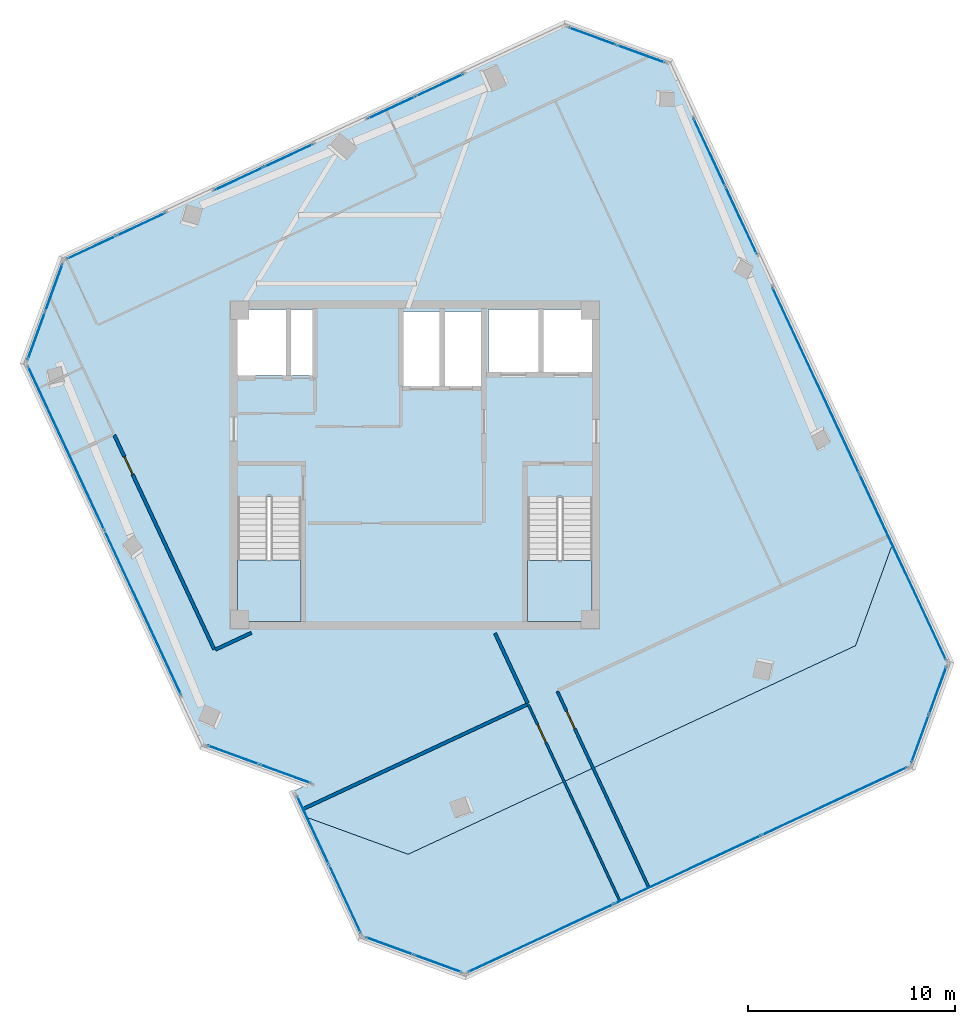
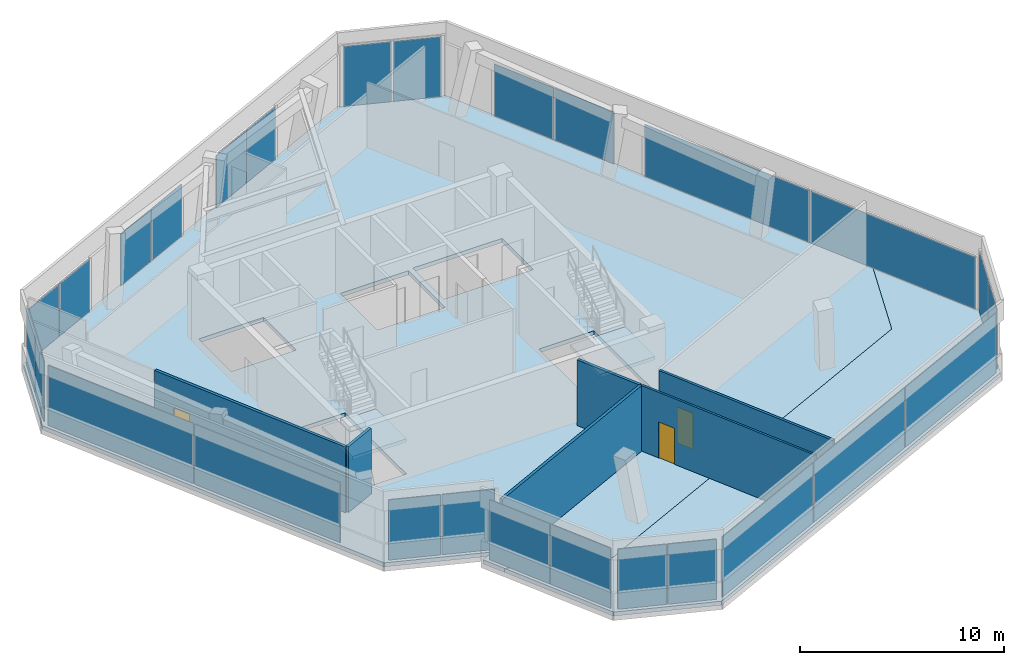
# One storey, part 11 of 16: 27 plates, 6 walls, 4 slabs, 3 doors, 3 openings, 15 elements without a shape of their own.
"""IFC4 building model written with IfcOpenShell, lengths in metres."""

from ifc_helpers import new_model, si_unit, direction, frame, frame_2d, origin, origin_2d, place, context, subcontext, project, spatial, polyline, rectangle, outline, extrude, source, transform, mapped, material, layer, layer_set, type_object, element, fill, aggregate, save


model = new_model("IFC4")

# Units and contexts
model_context = context("Model", 3, precision=1e-05, world=origin(), true_north=direction((0.0, 1.0)))
body_context = subcontext(model_context, "Body", "Model", "MODEL_VIEW")
ifc_project = project(units=[si_unit("LENGTHUNIT", "METRE"), si_unit("AREAUNIT", "SQUARE_METRE"), si_unit("VOLUMEUNIT", "CUBIC_METRE"), si_unit("PLANEANGLEUNIT", "RADIAN"), si_unit("MASSUNIT", "GRAM", prefix="KILO")], contexts=[model_context])

# Site, building, storey
site_placement = place(None, origin())
site = spatial("IfcSite", under=ifc_project, at=site_placement, CompositionType="ELEMENT")
building_placement = place(site_placement, origin())
building = spatial("IfcBuilding", under=site, at=building_placement, Name="Torre Montelarca", CompositionType="ELEMENT")
storey_placement = place(building_placement, frame((0.0, 0.0, 345.0)))
storey = spatial("IfcBuildingStorey", under=building, at=storey_placement, Name="L78", CompositionType="ELEMENT", Elevation=345.0)

# Slabs
ifc_material_1 = material(Name="Concrete C40/50", Category="concrete")
ifc_layer_1 = layer(ifc_material_1, 0.239990234375, Name="Concrete C40/50", Category="concrete")
ifc_layer_set_1 = layer_set([ifc_layer_1], Name="Concrete C40/50")
slab_type_1 = type_object("IfcSlabType", Name="SL-FLR-240", PredefinedType="FLOOR", material=ifc_layer_set_1)
slab_1_placement = place(storey_placement, frame((0.0, 0.0, -0.239990234375)))
element("IfcSlab", 1, at=slab_1_placement, inside=storey, type_object=slab_type_1, Name="L78 Structural Floor Slab", PredefinedType="FLOOR", context=body_context, shape_type="SweptSolid", body=[
    extrude(outline(polyline([(7.752197265625, 18.417236328125), (12.802001953125, 16.579345703125), (12.0771484375, 16.2412109375), (12.62646484375, 15.06298828125), (17.676513671875, 13.22509765625), (39.24658203125, 23.283203125), (41.084716796875, 28.333251953125), (30.307861328125, 51.444091796875), (25.2578125, 53.281982421875), (0.96875, 41.955810546875), (-0.869140625, 36.906005859375), (7.752197265625, 18.417236328125)]), holes=[polyline([(26.550048828125, 24.449951171875), (23.43994140625, 24.449951171875), (23.43994140625, 30.429931640625), (26.550048828125, 30.429931640625), (26.550048828125, 24.449951171875)]), polyline([(12.5, 24.449951171875), (9.449951171875, 24.449951171875), (9.449951171875, 30.4599609375), (12.5, 30.4599609375), (12.5, 24.449951171875)]), polyline([(21.25, 39.39990234375), (21.25, 35.800048828125), (17.39990234375, 35.800048828125), (17.39990234375, 39.39990234375), (21.25, 39.39990234375)]), polyline([(13.1201171875, 36.300048828125), (9.449951171875, 36.300048828125), (9.449951171875, 39.5), (13.1201171875, 39.5), (13.1201171875, 36.300048828125)]), polyline([(26.60009765625, 36.449951171875), (21.550048828125, 36.449951171875), (21.550048828125, 39.5), (26.60009765625, 39.5), (26.60009765625, 36.449951171875)])]), origin(), (0.0, 0.0, 1.0), 0.239990234375),
])
slab_2_placement = place(storey_placement, frame((0.0, 0.0, -0.239990234375)))
element("IfcSlab", 2, at=slab_2_placement, inside=storey, type_object=slab_type_1, Name="L78 Sliding Tray Winter Garden Floor Slab SKY1", PredefinedType="FLOOR", context=body_context, shape_type="SweptSolid", body=[
    extrude(outline(polyline([(41.084716796875, 28.333251953125), (39.24658203125, 23.283203125), (17.676513671875, 13.22509765625), (12.62646484375, 15.06298828125), (15.37353515625, 9.172119140625), (20.42333984375, 7.333984375), (41.99365234375, 17.392333984375), (43.83154296875, 22.442138671875), (41.084716796875, 28.333251953125)])), origin(), (0.0, 0.0, 1.0), 0.239990234375),
])

# Stair, slab
stair_type_1 = type_object("IfcStairType", Name="ST-CORE-ST1", PredefinedType="HALF_TURN_STAIR", material=ifc_material_1)
stair_1_placement = place(storey_placement, origin())
stair_1 = element("IfcStair", 3, at=stair_1_placement, inside=storey, type_object=stair_type_1, Name="L78 Protected Exit Stair ST1", PredefinedType="HALF_TURN_STAIR")
ifc_layer_2 = layer(ifc_material_1, 0.199951171875, Name="Concrete C40/50", Category="concrete")
ifc_layer_set_2 = layer_set([ifc_layer_2], Name="Concrete C40/50")
slab_type_2 = type_object("IfcSlabType", Name="SL-ST-LAND-ST1", PredefinedType="LANDING", material=ifc_layer_set_2)
slab_3_placement = place(storey_placement, frame((0.0, 0.0, 1.89990234375)))
slab_3 = element("IfcSlab", 4, at=slab_3_placement, type_object=slab_type_2, Name="ST1 landing 1", PredefinedType="LANDING", context=body_context, shape_type="SweptSolid", body=[
    extrude(outline(polyline([(9.449951171875, 27.419921875), (9.449951171875, 24.449951171875), (12.5, 24.449951171875), (12.5, 27.419921875), (9.449951171875, 27.419921875)])), origin(), (0.0, 0.0, 1.0), 0.2001953125),
])
aggregate(stair_1, [slab_3])

stair_type_2 = type_object("IfcStairType", Name="ST-CORE-ST2", PredefinedType="HALF_TURN_STAIR", material=ifc_material_1)
stair_2_placement = place(storey_placement, origin())
stair_2 = element("IfcStair", 5, at=stair_2_placement, inside=storey, type_object=stair_type_2, Name="L78 Protected Exit Stair ST2", PredefinedType="HALF_TURN_STAIR")
ifc_layer_3 = layer(ifc_material_1, 0.199951171875, Name="Concrete C40/50", Category="concrete")
ifc_layer_set_3 = layer_set([ifc_layer_3], Name="Concrete C40/50")
slab_type_3 = type_object("IfcSlabType", Name="SL-ST-LAND-ST2", PredefinedType="LANDING", material=ifc_layer_set_3)
slab_4_placement = place(storey_placement, frame((0.0, 0.0, 1.89990234375)))
slab_4 = element("IfcSlab", 6, at=slab_4_placement, type_object=slab_type_3, Name="ST2 landing 1", PredefinedType="LANDING", context=body_context, shape_type="SweptSolid", body=[
    extrude(outline(polyline([(23.43994140625, 27.389892578125), (23.43994140625, 24.449951171875), (26.550048828125, 24.449951171875), (26.550048828125, 27.389892578125), (23.43994140625, 27.389892578125)])), origin(), (0.0, 0.0, 1.0), 0.2001953125),
])
aggregate(stair_2, [slab_4])

# Curtain wall, plates
ifc_material_2 = material(Name="Insulated low-E laminated glass", Category="glass")
curtain_wall_type = type_object("IfcCurtainWallType", Name="CW-SYS-Z4", PredefinedType="USERDEFINED", material=ifc_material_2)
curtain_wall_1_placement = place(storey_placement, origin())
curtain_wall_1 = element("IfcCurtainWall", 7, at=curtain_wall_1_placement, inside=storey, type_object=curtain_wall_type, Name="L78 Curtain Wall Run CW-T3-L78-E02-B1", ObjectType="UNITISED GLAZING", PredefinedType="USERDEFINED")
ifc_layer_4 = layer(ifc_material_2, 0.035888671875, Name="Insulated low-E laminated glass", Category="glass")
ifc_layer_set_4 = layer_set([ifc_layer_4], Name="Insulated low-E laminated glass")
plate_type = type_object("IfcPlateType", Name="CWP-GLZ-36", PredefinedType="CURTAIN_PANEL", material=ifc_layer_set_4)
shared_shape_1 = source(origin(), body_context, "Body", "SweptSolid", [
    extrude(rectangle(XDim=2.592529296875, YDim=0.035888671875, at=origin_2d()), origin(), (0.0, 0.0, 1.0), 3.590087890625),
])
plate_1_placement = place(storey_placement, frame((9.2412109375, 18.013671875, 0.06494140625), z_axis=(0.0, 0.0, 1.0), x_axis=(0.939691378116, -0.342023557513, 0.0)))
plate_1 = element("IfcPlate", 8, at=plate_1_placement, type_object=plate_type, Name="CW panel 1.1", PredefinedType="CURTAIN_PANEL", context=body_context, shape_type="MappedRepresentation", body=[
    mapped(shared_shape_1, transform((0.0, 0.0, 0.0), scale=1.0)),
])
plate_2_placement = place(storey_placement, frame((11.747802734375, 17.101318359375, 0.06494140625), z_axis=(0.0, 0.0, 1.0), x_axis=(0.939691378116, -0.342023557513, 0.0)))
plate_2 = element("IfcPlate", 9, at=plate_2_placement, type_object=plate_type, Name="CW panel 2.1", PredefinedType="CURTAIN_PANEL", context=body_context, shape_type="MappedRepresentation", body=[
    mapped(shared_shape_1, transform((0.0, 0.0, 0.0), scale=1.0)),
])
aggregate(curtain_wall_1, [plate_1, plate_2])

curtain_wall_2_placement = place(storey_placement, origin())
curtain_wall_2 = element("IfcCurtainWall", 10, at=curtain_wall_2_placement, inside=storey, type_object=curtain_wall_type, Name="L78 Curtain Wall Run CW-T3-L78-E05-B1", ObjectType="UNITISED GLAZING", PredefinedType="USERDEFINED")
shared_shape_2 = source(origin(), body_context, "Body", "SweptSolid", [
    extrude(rectangle(XDim=2.40869140625, YDim=0.035888671875, at=origin_2d()), origin(), (0.0, 0.0, 1.0), 3.590087890625),
])
plate_3_placement = place(storey_placement, frame((16.776123046875, 8.7998046875, 0.06494140625), z_axis=(0.0, 0.0, 1.0), x_axis=(0.939694365175, -0.342015350618, 0.0)))
plate_3 = element("IfcPlate", 11, at=plate_3_placement, type_object=plate_type, Name="CW panel 1.1", PredefinedType="CURTAIN_PANEL", context=body_context, shape_type="MappedRepresentation", body=[
    mapped(shared_shape_2, transform((0.0, 0.0, 0.0), scale=1.0)),
])
plate_4_placement = place(storey_placement, frame((19.10986328125, 7.950439453125, 0.06494140625), z_axis=(0.0, 0.0, 1.0), x_axis=(0.939694365175, -0.342015350618, 0.0)))
plate_4 = element("IfcPlate", 12, at=plate_4_placement, type_object=plate_type, Name="CW panel 2.1", PredefinedType="CURTAIN_PANEL", context=body_context, shape_type="MappedRepresentation", body=[
    mapped(shared_shape_2, transform((0.0, 0.0, 0.0), scale=1.0)),
])
aggregate(curtain_wall_2, [plate_3, plate_4])

curtain_wall_3_placement = place(storey_placement, origin())
curtain_wall_3 = element("IfcCurtainWall", 13, at=curtain_wall_3_placement, inside=storey, type_object=curtain_wall_type, Name="L78 Curtain Wall Run CW-T3-L78-E07-B1", ObjectType="UNITISED GLAZING", PredefinedType="USERDEFINED")
plate_5_placement = place(storey_placement, frame((42.36572265625, 18.794921875, 0.06494140625), z_axis=(0.0, 0.0, 1.0), x_axis=(0.342015350618, 0.939694365175, 0.0)))
plate_5 = element("IfcPlate", 14, at=plate_5_placement, type_object=plate_type, Name="CW panel 1.1", PredefinedType="CURTAIN_PANEL", context=body_context, shape_type="MappedRepresentation", body=[
    mapped(shared_shape_2, transform((0.0, 0.0, 0.0), scale=1.0)),
])
plate_6_placement = place(storey_placement, frame((43.215087890625, 21.128662109375, 0.06494140625), z_axis=(0.0, 0.0, 1.0), x_axis=(0.342015350618, 0.939694365175, 0.0)))
plate_6 = element("IfcPlate", 15, at=plate_6_placement, type_object=plate_type, Name="CW panel 2.1", PredefinedType="CURTAIN_PANEL", context=body_context, shape_type="MappedRepresentation", body=[
    mapped(shared_shape_2, transform((0.0, 0.0, 0.0), scale=1.0)),
])
aggregate(curtain_wall_3, [plate_5, plate_6])

curtain_wall_4_placement = place(storey_placement, origin())
curtain_wall_4 = element("IfcCurtainWall", 16, at=curtain_wall_4_placement, inside=storey, type_object=curtain_wall_type, Name="L78 Curtain Wall Run CW-T3-L78-E09-B1", ObjectType="UNITISED GLAZING", PredefinedType="USERDEFINED")
plate_7_placement = place(storey_placement, frame((28.9052734375, 51.816162109375, 0.06494140625), z_axis=(0.0, 0.0, 1.0), x_axis=(-0.939694365175, 0.342015350618, 0.0)))
plate_7 = element("IfcPlate", 17, at=plate_7_placement, type_object=plate_type, Name="CW panel 1.1", PredefinedType="CURTAIN_PANEL", context=body_context, shape_type="MappedRepresentation", body=[
    mapped(shared_shape_2, transform((0.0, 0.0, 0.0), scale=1.0)),
])
plate_8_placement = place(storey_placement, frame((26.571533203125, 52.665771484375, 0.06494140625), z_axis=(0.0, 0.0, 1.0), x_axis=(-0.939694365175, 0.342015350618, 0.0)))
plate_8 = element("IfcPlate", 18, at=plate_8_placement, type_object=plate_type, Name="CW panel 2.1", PredefinedType="CURTAIN_PANEL", context=body_context, shape_type="MappedRepresentation", body=[
    mapped(shared_shape_2, transform((0.0, 0.0, 0.0), scale=1.0)),
])
aggregate(curtain_wall_4, [plate_7, plate_8])

curtain_wall_5_placement = place(storey_placement, origin())
curtain_wall_5 = element("IfcCurtainWall", 19, at=curtain_wall_5_placement, inside=storey, type_object=curtain_wall_type, Name="L78 Curtain Wall Run CW-T3-L78-E11-B1", ObjectType="UNITISED GLAZING", PredefinedType="USERDEFINED")
plate_9_placement = place(storey_placement, frame((0.5966796875, 40.553466796875, 0.06494140625), z_axis=(0.0, 0.0, 1.0), x_axis=(-0.342015350618, -0.939694365175, 0.0)))
plate_9 = element("IfcPlate", 20, at=plate_9_placement, type_object=plate_type, Name="CW panel 1.1", PredefinedType="CURTAIN_PANEL", context=body_context, shape_type="MappedRepresentation", body=[
    mapped(shared_shape_2, transform((0.0, 0.0, 0.0), scale=1.0)),
])
plate_10_placement = place(storey_placement, frame((-0.252685546875, 38.219482421875, 0.06494140625), z_axis=(0.0, 0.0, 1.0), x_axis=(-0.342015350618, -0.939694365175, 0.0)))
plate_10 = element("IfcPlate", 21, at=plate_10_placement, type_object=plate_type, Name="CW panel 2.1", PredefinedType="CURTAIN_PANEL", context=body_context, shape_type="MappedRepresentation", body=[
    mapped(shared_shape_2, transform((0.0, 0.0, 0.0), scale=1.0)),
])
aggregate(curtain_wall_5, [plate_9, plate_10])

curtain_wall_6_placement = place(storey_placement, origin())
curtain_wall_6 = element("IfcCurtainWall", 22, at=curtain_wall_6_placement, inside=storey, type_object=curtain_wall_type, Name="L78 Curtain Wall Run CW-T3-L78-E06-B1", ObjectType="UNITISED GLAZING", PredefinedType="USERDEFINED")
shared_shape_3 = source(origin(), body_context, "Body", "SweptSolid", [
    extrude(rectangle(XDim=7.710205078125, YDim=0.035888671875, at=origin_2d()), origin(), (0.0, 0.0, 1.0), 3.590087890625),
])
plate_11_placement = place(storey_placement, frame((24.080810546875, 9.182861328125, 0.06494140625), z_axis=(0.0, 0.0, 1.0), x_axis=(0.906310681773, 0.422612053903, 0.0)))
plate_11 = element("IfcPlate", 23, at=plate_11_placement, type_object=plate_type, Name="CW panel 1.1", PredefinedType="CURTAIN_PANEL", context=body_context, shape_type="MappedRepresentation", body=[
    mapped(shared_shape_3, transform((0.0, 0.0, 0.0), scale=1.0)),
])
plate_12_placement = place(storey_placement, frame((38.2265625, 15.779052734375, 0.06494140625), z_axis=(0.0, 0.0, 1.0), x_axis=(0.906310681773, 0.422612053903, 0.0)))
plate_12 = element("IfcPlate", 24, at=plate_12_placement, type_object=plate_type, Name="CW panel 3.1", PredefinedType="CURTAIN_PANEL", context=body_context, shape_type="MappedRepresentation", body=[
    mapped(shared_shape_3, transform((0.0, 0.0, 0.0), scale=1.0)),
])
shared_shape_4 = source(origin(), body_context, "Body", "SweptSolid", [
    extrude(rectangle(XDim=7.747802734375, YDim=0.035888671875, at=origin_2d()), origin(), (0.0, 0.0, 1.0), 3.590087890625),
])
plate_13_placement = place(storey_placement, frame((31.153564453125, 12.48095703125, 0.06494140625), z_axis=(0.0, 0.0, 1.0), x_axis=(0.906310681773, 0.422612053903, 0.0)))
plate_13 = element("IfcPlate", 25, at=plate_13_placement, type_object=plate_type, Name="CW panel 2.1", PredefinedType="CURTAIN_PANEL", context=body_context, shape_type="MappedRepresentation", body=[
    mapped(shared_shape_4, transform((0.0, 0.0, 0.0), scale=1.0)),
])
aggregate(curtain_wall_6, [plate_11, plate_13, plate_12])

curtain_wall_7_placement = place(storey_placement, origin())
curtain_wall_7 = element("IfcCurtainWall", 26, at=curtain_wall_7_placement, inside=storey, type_object=curtain_wall_type, Name="L78 Curtain Wall Run CW-T3-L78-E04-B1", ObjectType="UNITISED GLAZING", PredefinedType="USERDEFINED")
shared_shape_5 = source(origin(), body_context, "Body", "SweptSolid", [
    extrude(rectangle(XDim=3.58349609375, YDim=0.035888671875, at=origin_2d()), origin(), (0.0, 0.0, 1.0), 3.590087890625),
])
plate_14_placement = place(storey_placement, frame((13.086181640625, 14.385009765625, 0.06494140625), z_axis=(0.0, 0.0, 1.0), x_axis=(0.422598839793, -0.906316843386, 0.0)))
plate_14 = element("IfcPlate", 27, at=plate_14_placement, type_object=plate_type, Name="CW panel 1.1", PredefinedType="CURTAIN_PANEL", context=body_context, shape_type="MappedRepresentation", body=[
    mapped(shared_shape_5, transform((0.0, 0.0, 0.0), scale=1.0)),
])
plate_15_placement = place(storey_placement, frame((14.63232421875, 11.069091796875, 0.06494140625), z_axis=(0.0, 0.0, 1.0), x_axis=(0.422598839793, -0.906316843386, 0.0)))
plate_15 = element("IfcPlate", 28, at=plate_15_placement, type_object=plate_type, Name="CW panel 2.1", PredefinedType="CURTAIN_PANEL", context=body_context, shape_type="MappedRepresentation", body=[
    mapped(shared_shape_5, transform((0.0, 0.0, 0.0), scale=1.0)),
])
aggregate(curtain_wall_7, [plate_14, plate_15])

curtain_wall_8_placement = place(storey_placement, origin())
curtain_wall_8 = element("IfcCurtainWall", 29, at=curtain_wall_8_placement, inside=storey, type_object=curtain_wall_type, Name="L78 Curtain Wall Run CW-T3-L78-E01-B1", ObjectType="UNITISED GLAZING", PredefinedType="USERDEFINED")
shared_shape_6 = source(origin(), body_context, "Body", "SweptSolid", [
    extrude(rectangle(XDim=8.686767578125, YDim=0.035888671875, at=origin_2d()), origin(), (0.0, 0.0, 1.0), 3.590087890625),
])
plate_16_placement = place(storey_placement, frame((1.18603515625, 32.80615234375, 0.06494140625), z_axis=(0.0, 0.0, 1.0), x_axis=(0.422612946234, -0.906310265679, 0.0)))
plate_16 = element("IfcPlate", 30, at=plate_16_placement, type_object=plate_type, Name="CW panel 1.1", PredefinedType="CURTAIN_PANEL", context=body_context, shape_type="MappedRepresentation", body=[
    mapped(shared_shape_6, transform((0.0, 0.0, 0.0), scale=1.0)),
])
plate_17_placement = place(storey_placement, frame((4.888916015625, 24.865234375, 0.06494140625), z_axis=(0.0, 0.0, 1.0), x_axis=(0.422612946234, -0.906310265679, 0.0)))
plate_17 = element("IfcPlate", 31, at=plate_17_placement, type_object=plate_type, Name="CW panel 2.1", PredefinedType="CURTAIN_PANEL", context=body_context, shape_type="MappedRepresentation", body=[
    mapped(shared_shape_6, transform((0.0, 0.0, 0.0), scale=1.0)),
])
aggregate(curtain_wall_8, [plate_16, plate_17])

curtain_wall_9_placement = place(storey_placement, origin())
curtain_wall_9 = element("IfcCurtainWall", 32, at=curtain_wall_9_placement, inside=storey, type_object=curtain_wall_type, Name="L78 Curtain Wall Run CW-T3-L78-E08-B1", ObjectType="UNITISED GLAZING", PredefinedType="USERDEFINED")
shared_shape_7 = source(origin(), body_context, "Body", "SweptSolid", [
    extrude(rectangle(XDim=9.857421875, YDim=0.035888671875, at=origin_2d()), origin(), (0.0, 0.0, 1.0), 3.10498046875),
])
plate_18_placement = place(storey_placement, frame((41.529052734375, 27.072509765625, 0.06494140625), z_axis=(0.0, 0.0, 1.0), x_axis=(-0.42261529144, 0.906309172105, 0.0)))
plate_18 = element("IfcPlate", 33, at=plate_18_placement, type_object=plate_type, Name="CW panel 1.1", PredefinedType="CURTAIN_PANEL", context=body_context, shape_type="MappedRepresentation", body=[
    mapped(shared_shape_7, transform((0.0, 0.0, 0.0), scale=1.0)),
])
plate_19_placement = place(storey_placement, frame((37.331298828125, 36.074462890625, 0.06494140625), z_axis=(0.0, 0.0, 1.0), x_axis=(-0.42261529144, 0.906309172105, 0.0)))
plate_19 = element("IfcPlate", 34, at=plate_19_placement, type_object=plate_type, Name="CW panel 2.1", PredefinedType="CURTAIN_PANEL", context=body_context, shape_type="MappedRepresentation", body=[
    mapped(shared_shape_7, transform((0.0, 0.0, 0.0), scale=1.0)),
])
aggregate(curtain_wall_9, [plate_18, plate_19])

curtain_wall_10_placement = place(storey_placement, origin())
curtain_wall_10 = element("IfcCurtainWall", 35, at=curtain_wall_10_placement, inside=storey, type_object=curtain_wall_type, Name="L78 Curtain Wall Run CW-T3-L78-E08-B2", ObjectType="UNITISED GLAZING", PredefinedType="USERDEFINED")
shared_shape_8 = source(origin(), body_context, "Body", "SweptSolid", [
    extrude(rectangle(XDim=3.55322265625, YDim=0.035888671875, at=origin_2d()), origin(), (0.0, 0.0, 1.0), 3.10498046875),
])
plate_20_placement = place(storey_placement, frame((33.732666015625, 43.7919921875, 0.06494140625), z_axis=(0.0, 0.0, 1.0), x_axis=(-0.422615139808, 0.906309242811, 0.0)))
plate_20 = element("IfcPlate", 36, at=plate_20_placement, type_object=plate_type, Name="CW panel 1.1", PredefinedType="CURTAIN_PANEL", context=body_context, shape_type="MappedRepresentation", body=[
    mapped(shared_shape_8, transform((0.0, 0.0, 0.0), scale=1.0)),
])
plate_21_placement = place(storey_placement, frame((32.19921875, 47.080322265625, 0.06494140625), z_axis=(0.0, 0.0, 1.0), x_axis=(-0.422615139808, 0.906309242811, 0.0)))
plate_21 = element("IfcPlate", 37, at=plate_21_placement, type_object=plate_type, Name="CW panel 2.1", PredefinedType="CURTAIN_PANEL", context=body_context, shape_type="MappedRepresentation", body=[
    mapped(shared_shape_8, transform((0.0, 0.0, 0.0), scale=1.0)),
])
aggregate(curtain_wall_10, [plate_20, plate_21])

curtain_wall_11_placement = place(storey_placement, origin())
curtain_wall_11 = element("IfcCurtainWall", 38, at=curtain_wall_11_placement, inside=storey, type_object=curtain_wall_type, Name="L78 Curtain Wall Run CW-T3-L78-E10-B1", ObjectType="UNITISED GLAZING", PredefinedType="USERDEFINED")
shared_shape_9 = source(origin(), body_context, "Body", "SweptSolid", [
    extrude(rectangle(XDim=2.489990234375, YDim=0.035888671875, at=origin_2d()), origin(), (0.0, 0.0, 1.0), 3.10498046875),
])
plate_22_placement = place(storey_placement, frame((19.1953125, 50.3115234375, 0.06494140625), z_axis=(0.0, 0.0, 1.0), x_axis=(-0.906305320681, -0.422623550817, 0.0)))
plate_22 = element("IfcPlate", 39, at=plate_22_placement, type_object=plate_type, Name="CW panel 1.1", PredefinedType="CURTAIN_PANEL", context=body_context, shape_type="MappedRepresentation", body=[
    mapped(shared_shape_9, transform((0.0, 0.0, 0.0), scale=1.0)),
])
plate_23_placement = place(storey_placement, frame((16.87060546875, 49.2275390625, 0.06494140625), z_axis=(0.0, 0.0, 1.0), x_axis=(-0.906305320681, -0.422623550817, 0.0)))
plate_23 = element("IfcPlate", 40, at=plate_23_placement, type_object=plate_type, Name="CW panel 2.1", PredefinedType="CURTAIN_PANEL", context=body_context, shape_type="MappedRepresentation", body=[
    mapped(shared_shape_9, transform((0.0, 0.0, 0.0), scale=1.0)),
])
aggregate(curtain_wall_11, [plate_22, plate_23])

curtain_wall_12_placement = place(storey_placement, origin())
curtain_wall_12 = element("IfcCurtainWall", 41, at=curtain_wall_12_placement, inside=storey, type_object=curtain_wall_type, Name="L78 Curtain Wall Run CW-T3-L78-E10-B2", ObjectType="UNITISED GLAZING", PredefinedType="USERDEFINED")
shared_shape_10 = source(origin(), body_context, "Body", "SweptSolid", [
    extrude(rectangle(XDim=2.561279296875, YDim=0.035888671875, at=origin_2d()), origin(), (0.0, 0.0, 1.0), 3.10498046875),
])
plate_24_placement = place(storey_placement, frame((11.91259765625, 46.91552734375, 0.06494140625), z_axis=(0.0, 0.0, 1.0), x_axis=(-0.906308749318, -0.422616198116, 0.0)))
plate_24 = element("IfcPlate", 42, at=plate_24_placement, type_object=plate_type, Name="CW panel 1.1", PredefinedType="CURTAIN_PANEL", context=body_context, shape_type="MappedRepresentation", body=[
    mapped(shared_shape_10, transform((0.0, 0.0, 0.0), scale=1.0)),
])
plate_25_placement = place(storey_placement, frame((9.523193359375, 45.801513671875, 0.06494140625), z_axis=(0.0, 0.0, 1.0), x_axis=(-0.906308749318, -0.422616198116, 0.0)))
plate_25 = element("IfcPlate", 43, at=plate_25_placement, type_object=plate_type, Name="CW panel 2.1", PredefinedType="CURTAIN_PANEL", context=body_context, shape_type="MappedRepresentation", body=[
    mapped(shared_shape_10, transform((0.0, 0.0, 0.0), scale=1.0)),
])
aggregate(curtain_wall_12, [plate_24, plate_25])

curtain_wall_13_placement = place(storey_placement, origin())
curtain_wall_13 = element("IfcCurtainWall", 44, at=curtain_wall_13_placement, inside=storey, type_object=curtain_wall_type, Name="L78 Curtain Wall Run CW-T3-L78-E10-B3", ObjectType="UNITISED GLAZING", PredefinedType="USERDEFINED")
shared_shape_11 = source(origin(), body_context, "Body", "SweptSolid", [
    extrude(rectangle(XDim=2.564697265625, YDim=0.035888671875, at=origin_2d()), origin(), (0.0, 0.0, 1.0), 3.10498046875),
])
plate_26_placement = place(storey_placement, frame((4.79638671875, 43.597412109375, 0.06494140625), z_axis=(0.0, 0.0, 1.0), x_axis=(-0.90631526548, -0.422602223796, 0.0)))
plate_26 = element("IfcPlate", 45, at=plate_26_placement, type_object=plate_type, Name="CW panel 1.1", PredefinedType="CURTAIN_PANEL", context=body_context, shape_type="MappedRepresentation", body=[
    mapped(shared_shape_11, transform((0.0, 0.0, 0.0), scale=1.0)),
])
plate_27_placement = place(storey_placement, frame((2.404052734375, 42.481689453125, 0.06494140625), z_axis=(0.0, 0.0, 1.0), x_axis=(-0.90631526548, -0.422602223796, 0.0)))
plate_27 = element("IfcPlate", 46, at=plate_27_placement, type_object=plate_type, Name="CW panel 2.1", PredefinedType="CURTAIN_PANEL", context=body_context, shape_type="MappedRepresentation", body=[
    mapped(shared_shape_11, transform((0.0, 0.0, 0.0), scale=1.0)),
])
aggregate(curtain_wall_13, [plate_26, plate_27])

# Wall, opening, door
ifc_material_3 = material(Name="Gypsum plasterboard on steel stud", Category="steel")
ifc_layer_5 = layer(ifc_material_3, 0.159912109375, Name="Gypsum plasterboard on steel stud", Category="steel")
ifc_layer_set_5 = layer_set([ifc_layer_5], Name="Gypsum plasterboard on steel stud")
wall_type_1 = type_object("IfcWallType", Name="PW-FIRE-160", PredefinedType="PARTITIONING", material=ifc_layer_set_5)
wall_1_placement = place(storey_placement, frame((3.50537109375, 33.43994140625, 0.0), z_axis=(0.0, 0.0, 1.0), x_axis=(0.422624000171, -0.90630511114, 0.0)))
wall_1 = element("IfcWall", 47, at=wall_1_placement, inside=storey, type_object=wall_type_1, Name="L78 Interior Partition W-L78-SOCCN", PredefinedType="PARTITIONING", context=body_context, shape_type="SweptSolid", body=[
    extrude(rectangle(XDim=11.39990234375, YDim=0.159912109375, at=frame_2d((5.699951171875, 0.0))), origin(), (0.0, 0.0, 1.0), 3.919921875),
])
opening_1_placement = place(wall_1_placement, frame((1.14990234375, 0.0, 0.0)))
opening_1 = element("IfcOpeningElement", 48, at=opening_1_placement, cuts=wall_1, Name="Opening FD-095", PredefinedType="OPENING", context=body_context, shape_type="SweptSolid", body=[
    extrude(rectangle(XDim=0.949951171875, YDim=2.14990234375, at=frame_2d((0.47509765625, 1.074951171875))), frame((0.0, 0.08984375, 0.0), z_axis=(0.0, -1.0, 0.0), x_axis=(1.0, 0.0, 0.0)), (0.0, 0.0, 1.0), 0.179931640625),
])
ifc_material_4 = material(Name="Timber fire-rated room door", Category="wood")
door_type_1 = type_object("IfcDoorType", Name="DR-FIRE-095", OperationType="NOTDEFINED", PredefinedType="DOOR", material=ifc_material_4)
shared_shape_12 = source(origin(), body_context, "Body", "SweptSolid", [
    extrude(rectangle(XDim=0.949951171875, YDim=2.14990234375, at=frame_2d((0.47509765625, 1.074951171875))), frame((0.0, 0.02490234375, 0.0), z_axis=(0.0, -1.0, 0.0), x_axis=(1.0, 0.0, 0.0)), (0.0, 0.0, 1.0), 0.050048828125),
])
door_1_placement = place(opening_1_placement, origin())
door_1 = element("IfcDoor", 49, at=door_1_placement, inside=storey, type_object=door_type_1, Name="L78 Interior Door 06", OperationType="SINGLE_SWING_RIGHT", OverallHeight=2.14990234375, OverallWidth=0.949951171875, PredefinedType="DOOR", context=body_context, shape_type="MappedRepresentation", body=[
    mapped(shared_shape_12, transform((0.0, 0.0, 0.0), scale=1.0)),
])
fill(opening_1, door_1)

# Walls
wall_2_placement = place(storey_placement, frame((8.37646484375, 23.0888671875, 0.0), z_axis=(0.0, 0.0, 1.0), x_axis=(0.906309358228, 0.422614892294, 0.0)))
element("IfcWall", 50, at=wall_2_placement, inside=storey, type_object=wall_type_1, Name="L78 Interior Partition W-L78-SOCCW3", PredefinedType="PARTITIONING", context=body_context, shape_type="SweptSolid", body=[
    extrude(rectangle(XDim=1.926513671875, YDim=0.159912109375, at=frame_2d((0.96337890625, 0.0))), origin(), (0.0, 0.0, 1.0), 3.919921875),
])
wall_3_placement = place(storey_placement, frame((21.8642578125, 23.8837890625, 0.0), z_axis=(0.0, 0.0, 1.0), x_axis=(0.42259522887, -0.906318527085, 0.0)))
element("IfcWall", 51, at=wall_3_placement, inside=storey, type_object=wall_type_1, Name="L78 Interior Partition W-L78-SOCCN3", PredefinedType="PARTITIONING", context=body_context, shape_type="SweptSolid", body=[
    extrude(rectangle(XDim=3.730224609375, YDim=0.159912109375, at=frame_2d((1.865234375, 0.0))), origin(), (0.0, 0.0, 1.0), 3.919921875),
])
wall_4_placement = place(storey_placement, frame((12.654296875, 15.42919921875, 0.0), z_axis=(0.0, 0.0, 1.0), x_axis=(0.906316447934, 0.42259968789, 0.0)))
element("IfcWall", 52, at=wall_4_placement, inside=storey, type_object=wall_type_1, Name="L78 Interior Partition W-L78-ECS", PredefinedType="PARTITIONING", context=body_context, shape_type="SweptSolid", body=[
    extrude(rectangle(XDim=11.880126953125, YDim=0.159912109375, at=frame_2d((5.93994140625, 0.0))), origin(), (0.0, 0.0, 1.0), 3.919921875),
])

# Wall, opening, door
ifc_layer_6 = layer(ifc_material_3, 0.114990234375, Name="Gypsum plasterboard on steel stud", Category="steel")
ifc_layer_set_6 = layer_set([ifc_layer_6], Name="Gypsum plasterboard on steel stud")
wall_type_2 = type_object("IfcWallType", Name="PW-PART-115", PredefinedType="PARTITIONING", material=ifc_layer_set_6)
wall_5_placement = place(storey_placement, frame((23.474609375, 20.430419921875, 0.0), z_axis=(0.0, 0.0, 1.0), x_axis=(0.422603997267, -0.906314438533, 0.0)))
wall_5 = element("IfcWall", 53, at=wall_5_placement, inside=storey, type_object=wall_type_2, Name="L78 Interior Partition W-L78-SE-N", PredefinedType="PARTITIONING", context=body_context, shape_type="SweptSolid", body=[
    extrude(rectangle(XDim=10.39990234375, YDim=0.114990234375, at=frame_2d((5.199951171875, 0.0))), origin(), (0.0, 0.0, 1.0), 3.919921875),
])
opening_2_placement = place(wall_5_placement, frame((1.050048828125, 0.0, 0.0)))
opening_2 = element("IfcOpeningElement", 54, at=opening_2_placement, cuts=wall_5, Name="Opening ID-095", PredefinedType="OPENING", context=body_context, shape_type="SweptSolid", body=[
    extrude(rectangle(XDim=0.949951171875, YDim=2.14990234375, at=frame_2d((0.47509765625, 1.074951171875))), frame((0.0, 0.0673828125, 0.0), z_axis=(0.0, -1.0, 0.0), x_axis=(1.0, 0.0, 0.0)), (0.0, 0.0, 1.0), 0.135009765625),
])
ifc_material_5 = material(Name="Hardwood acoustic timber veneer", Category="wood")
door_type_2 = type_object("IfcDoorType", Name="DR-INT-095", OperationType="NOTDEFINED", PredefinedType="DOOR", material=ifc_material_5)
shared_shape_13 = source(origin(), body_context, "Body", "SweptSolid", [
    extrude(rectangle(XDim=0.949951171875, YDim=2.14990234375, at=frame_2d((0.47509765625, 1.074951171875))), frame((0.0, 0.02490234375, 0.0), z_axis=(0.0, -1.0, 0.0), x_axis=(1.0, 0.0, 0.0)), (0.0, 0.0, 1.0), 0.050048828125),
])
door_2_placement = place(opening_2_placement, origin())
door_2 = element("IfcDoor", 55, at=door_2_placement, inside=storey, type_object=door_type_2, Name="L78 Interior Door 11", OperationType="SINGLE_SWING_LEFT", OverallHeight=2.14990234375, OverallWidth=0.949951171875, PredefinedType="DOOR", context=body_context, shape_type="MappedRepresentation", body=[
    mapped(shared_shape_13, transform((0.0, 0.0, 0.0), scale=1.0)),
])
fill(opening_2, door_2)

ifc_layer_7 = layer(ifc_material_3, 0.135009765625, Name="Gypsum plasterboard on steel stud", Category="steel")
ifc_layer_set_7 = layer_set([ifc_layer_7], Name="Gypsum plasterboard on steel stud")
wall_type_3 = type_object("IfcWallType", Name="PW-PART-135", PredefinedType="PARTITIONING", material=ifc_layer_set_7)
wall_6_placement = place(storey_placement, frame((24.8701171875, 21.081298828125, 0.0), z_axis=(0.0, 0.0, 1.0), x_axis=(0.422623279804, -0.906305447058, 0.0)))
wall_6 = element("IfcWall", 56, at=wall_6_placement, inside=storey, type_object=wall_type_3, Name="L78 Interior Partition W-L78-NE-S", PredefinedType="PARTITIONING", context=body_context, shape_type="SweptSolid", body=[
    extrude(rectangle(XDim=10.39990234375, YDim=0.135009765625, at=frame_2d((5.199951171875, 0.0))), origin(), (0.0, 0.0, 1.0), 3.919921875),
])
opening_3_placement = place(wall_6_placement, frame((1.050048828125, 0.0, 0.0)))
opening_3 = element("IfcOpeningElement", 57, at=opening_3_placement, cuts=wall_6, Name="Opening ID-095", PredefinedType="OPENING", context=body_context, shape_type="SweptSolid", body=[
    extrude(rectangle(XDim=0.949951171875, YDim=2.14990234375, at=frame_2d((0.47509765625, 1.074951171875))), frame((0.0, 0.07763671875, 0.0), z_axis=(0.0, -1.0, 0.0), x_axis=(1.0, 0.0, 0.0)), (0.0, 0.0, 1.0), 0.155029296875),
])
door_3_placement = place(opening_3_placement, origin())
door_3 = element("IfcDoor", 58, at=door_3_placement, inside=storey, type_object=door_type_2, Name="L78 Interior Door 10", OperationType="SINGLE_SWING_LEFT", OverallHeight=2.14990234375, OverallWidth=0.949951171875, PredefinedType="DOOR", context=body_context, shape_type="MappedRepresentation", body=[
    mapped(shared_shape_13, transform((0.0, 0.0, 0.0), scale=1.0)),
])
fill(opening_3, door_3)

save(model, "model.ifc")
